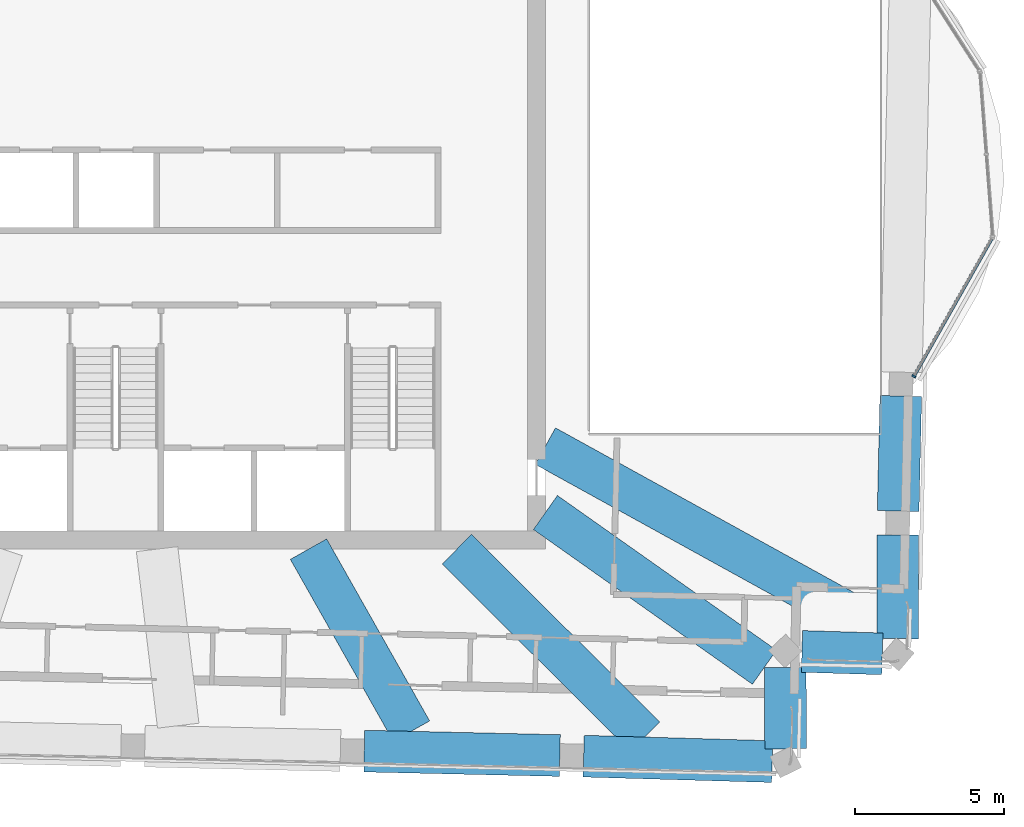
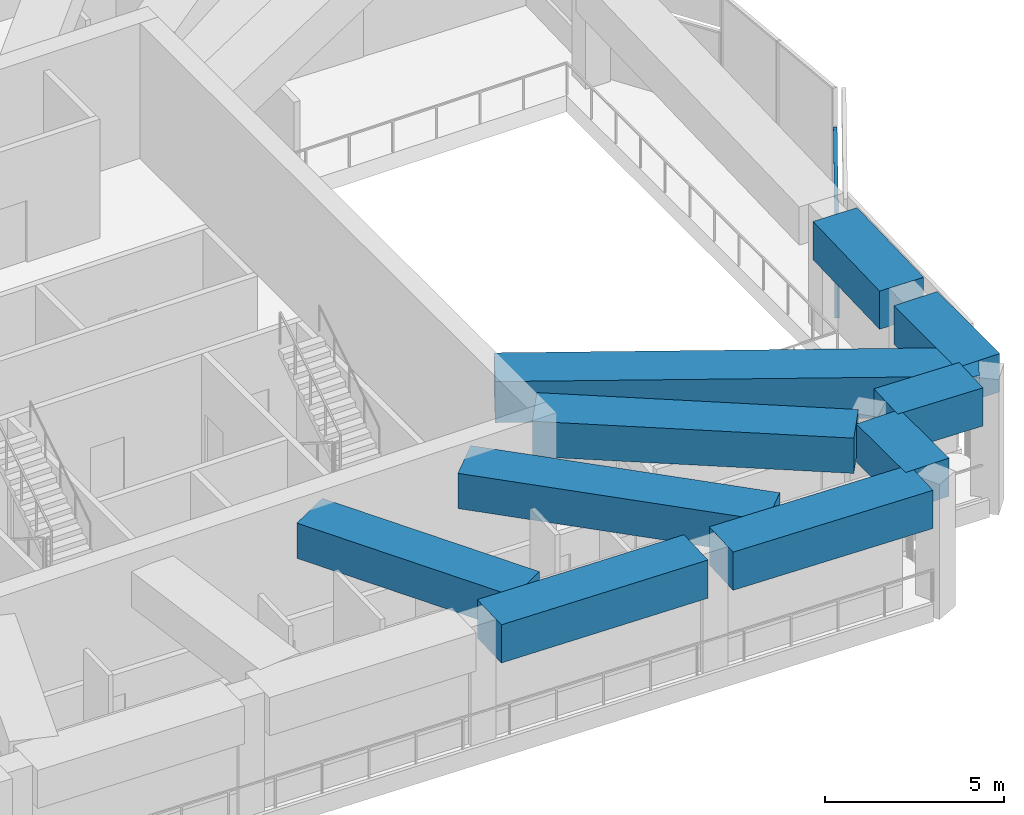
# One storey, part 5 of 19: 10 beams, 2 members, 1 element without a shape of its own.
"""IFC4 building model written with IfcOpenShell, lengths in metres."""

from ifc_helpers import new_model, si_unit, direction, frame, origin, origin_2d, place, context, subcontext, project, spatial, rectangle, extrude, material, material_profile, profile_set, type_object, element, aggregate, save


model = new_model("IFC4")

# Units and contexts
model_context = context("Model", 3, precision=1e-05, world=origin(), true_north=direction((0.0, 1.0)))
body_context = subcontext(model_context, "Body", "Model", "MODEL_VIEW")
ifc_project = project(units=[si_unit("LENGTHUNIT", "METRE"), si_unit("AREAUNIT", "SQUARE_METRE"), si_unit("VOLUMEUNIT", "CUBIC_METRE"), si_unit("PLANEANGLEUNIT", "RADIAN"), si_unit("MASSUNIT", "GRAM", prefix="KILO")], contexts=[model_context])

# Site, building, storey
site_placement = place(None, origin())
site = spatial("IfcSite", under=ifc_project, at=site_placement, CompositionType="ELEMENT")
building_placement = place(site_placement, origin())
building = spatial("IfcBuilding", under=site, at=building_placement, Name="Mangrove Gate Tower", CompositionType="ELEMENT")
storey_placement = place(building_placement, frame((0.0, 0.0, 346.10009765625)))
storey = spatial("IfcBuildingStorey", under=building, at=storey_placement, Name="L88", CompositionType="ELEMENT", Elevation=346.10009765625)

# Curtain wall, members
ifc_material_1 = material(Name="Aluminium and glass curtain wall", Category="aluminium")
curtain_wall_type = type_object("IfcCurtainWallType", Name="Crown garden glazing wall", PredefinedType="NOTDEFINED", material=ifc_material_1)
curtain_wall_placement = place(storey_placement, origin())
curtain_wall = element("IfcCurtainWall", 1, at=curtain_wall_placement, inside=storey, type_object=curtain_wall_type, Name="Crown garden glazing E1f1", PredefinedType="NOTDEFINED")
ifc_material_2 = material(Name="Aluminium alloy 6063-T6", Category="aluminium")
ifc_material_profile_1 = material_profile(ifc_material_2, rectangle(XDim=0.06005859375, YDim=0.139892578125, at=origin_2d()))
ifc_profile_set_1 = profile_set([ifc_material_profile_1], Name="Aluminium alloy 6063-T6")
member_type_1 = type_object("IfcMemberType", Name="Crown garden glazing mullion 60x140", PredefinedType="MULLION", material=ifc_profile_set_1)
member_1_placement = place(storey_placement, frame((26.767333984375, -5.598876953125, 0.0), z_axis=(0.0, 0.0, 1.0), x_axis=(0.49256575687, 0.870275229545, 0.0)))
member_1 = element("IfcMember", 2, at=member_1_placement, type_object=member_type_1, Name="CWC mullion 1", PredefinedType="MULLION", context=body_context, shape_type="SweptSolid", body=[
    extrude(rectangle(XDim=0.06005859375, YDim=0.139892578125, at=origin_2d()), origin(), (0.0, 0.0, 1.0), 2.75),
])
ifc_material_3 = material(Name="Aluminium alloy 6063-T6", Category="aluminium")
ifc_material_profile_2 = material_profile(ifc_material_3, rectangle(XDim=0.06005859375, YDim=0.110107421875, at=origin_2d()))
ifc_profile_set_2 = profile_set([ifc_material_profile_2], Name="Aluminium alloy 6063-T6")
member_type_2 = type_object("IfcMemberType", Name="Crown garden glazing transom 60x110", PredefinedType="USERDEFINED", material=ifc_profile_set_2)
member_2_placement = place(storey_placement, frame((26.7822265625, -5.57275390625, 2.719970703125), z_axis=(0.492532775623, 0.870293895726, 0.0), x_axis=(0.0, 0.0, 1.0)))
member_2 = element("IfcMember", 3, at=member_2_placement, type_object=member_type_2, Name="CWC transom 1.2", ObjectType="TRANSOM", PredefinedType="USERDEFINED", context=body_context, shape_type="SweptSolid", body=[
    extrude(rectangle(XDim=0.06005859375, YDim=0.110107421875, at=origin_2d()), origin(), (0.0, 0.0, 1.0), 5.277587890625),
])
aggregate(curtain_wall, [member_1, member_2])

# Beams
ifc_material_4 = material(Name="Concrete C50/60", Category="concrete")
ifc_material_profile_3 = material_profile(ifc_material_4, rectangle(XDim=1.39990234375, YDim=1.199951171875, at=origin_2d()))
ifc_profile_set_3 = profile_set([ifc_material_profile_3], Name="Concrete C50/60")
beam_type_1 = type_object("IfcBeamType", Name="Transfer girder RC 1400x1200 C50/60", PredefinedType="BEAM", material=ifc_profile_set_3)
beam_1_placement = place(storey_placement, frame((6.4482421875, -11.39990234375, 3.449951171875), z_axis=(0.492344805558, -0.870400248414, 0.0), x_axis=(0.870400248414, 0.492344805558, 0.0)))
element("IfcBeam", 4, at=beam_1_placement, inside=storey, type_object=beam_type_1, Name="Transfer girder L88 07", PredefinedType="BEAM", context=body_context, shape_type="SweptSolid", body=[
    extrude(rectangle(XDim=1.39990234375, YDim=1.199951171875, at=origin_2d()), origin(), (0.0, 0.0, 1.0), 7.021484375),
])
beam_2_placement = place(storey_placement, frame((11.4287109375, -11.39990234375, 3.449951171875), z_axis=(0.707996248441, -0.706216193664, 0.0), x_axis=(0.706216193664, 0.707996248441, 0.0)))
element("IfcBeam", 5, at=beam_2_placement, inside=storey, type_object=beam_type_1, Name="Transfer girder L88 08", PredefinedType="BEAM", context=body_context, shape_type="SweptSolid", body=[
    extrude(rectangle(XDim=1.39990234375, YDim=1.199951171875, at=origin_2d()), origin(), (0.0, 0.0, 1.0), 8.9150390625),
])
beam_3_placement = place(storey_placement, frame((14.39990234375, -10.17138671875, 3.449951171875), z_axis=(0.816795678595, -0.57692704862, 0.0), x_axis=(0.57692704862, 0.816795678595, 0.0)))
element("IfcBeam", 6, at=beam_3_placement, inside=storey, type_object=beam_type_1, Name="Transfer girder L88 09", PredefinedType="BEAM", context=body_context, shape_type="SweptSolid", body=[
    extrude(rectangle(XDim=1.39990234375, YDim=1.199951171875, at=origin_2d()), origin(), (0.0, 0.0, 1.0), 9.00048828125),
])
ifc_material_5 = material(Name="Concrete C50/60", Category="concrete")
ifc_material_profile_4 = material_profile(ifc_material_5, rectangle(XDim=1.39990234375, YDim=1.300048828125, at=origin_2d()))
ifc_profile_set_4 = profile_set([ifc_material_profile_4], Name="Concrete C50/60")
beam_type_2 = type_object("IfcBeamType", Name="Transfer girder RC 1400x1300 C50/60", PredefinedType="BEAM", material=ifc_profile_set_4)
beam_4_placement = place(storey_placement, frame((8.31884765625, -18.18017578125, 3.39990234375), z_axis=(0.9997428326, -0.022677492484, 0.0), x_axis=(0.022677492484, 0.9997428326, 0.0)))
element("IfcBeam", 7, at=beam_4_placement, inside=storey, type_object=beam_type_2, Name="Transfer ring girder L88 08", PredefinedType="BEAM", context=body_context, shape_type="SweptSolid", body=[
    extrude(rectangle(XDim=1.39990234375, YDim=1.300048828125, at=origin_2d()), origin(), (0.0, 0.0, 1.0), 6.567138671875),
])
beam_5_placement = place(storey_placement, frame((15.683837890625, -18.349609375, 3.39990234375), z_axis=(0.999582947379, -0.028877868842, 0.0), x_axis=(0.028877868842, 0.999582947379, 0.0)))
element("IfcBeam", 8, at=beam_5_placement, inside=storey, type_object=beam_type_2, Name="Transfer ring girder L88 09", PredefinedType="BEAM", context=body_context, shape_type="SweptSolid", body=[
    extrude(rectangle(XDim=1.39990234375, YDim=1.300048828125, at=origin_2d()), origin(), (0.0, 0.0, 1.0), 6.332275390625),
])
beam_6_placement = place(storey_placement, frame((22.462890625, -18.101318359375, 3.39990234375), z_axis=(-0.00401926014, 0.999991922741, 0.0), x_axis=(-0.999991922741, -0.00401926014, 0.0)))
element("IfcBeam", 9, at=beam_6_placement, inside=storey, type_object=beam_type_2, Name="Transfer ring girder L88 10", PredefinedType="BEAM", context=body_context, shape_type="SweptSolid", body=[
    extrude(rectangle(XDim=1.39990234375, YDim=1.300048828125, at=origin_2d()), origin(), (0.0, 0.0, 1.0), 2.7333984375),
])
beam_7_placement = place(storey_placement, frame((23.010498046875, -14.833984375, 3.39990234375), z_axis=(0.999532507958, -0.030573935538, 0.0), x_axis=(0.030573935538, 0.999532507958, 0.0)))
element("IfcBeam", 10, at=beam_7_placement, inside=storey, type_object=beam_type_2, Name="Transfer ring girder L88 11", PredefinedType="BEAM", context=body_context, shape_type="SweptSolid", body=[
    extrude(rectangle(XDim=1.39990234375, YDim=1.300048828125, at=origin_2d()), origin(), (0.0, 0.0, 1.0), 2.698974609375),
])
beam_8_placement = place(storey_placement, frame((26.221923828125, -14.407470703125, 3.39990234375), z_axis=(0.002381445933, 0.999997164354, 0.0), x_axis=(-0.999997164354, 0.002381445933, 0.0)))
element("IfcBeam", 11, at=beam_8_placement, inside=storey, type_object=beam_type_2, Name="Transfer ring girder L88 12", PredefinedType="BEAM", context=body_context, shape_type="SweptSolid", body=[
    extrude(rectangle(XDim=1.39990234375, YDim=1.300048828125, at=origin_2d()), origin(), (0.0, 0.0, 1.0), 3.485595703125),
])
beam_9_placement = place(storey_placement, frame((26.240234375, -10.1220703125, 3.39990234375), z_axis=(0.022755866125, 0.999741051751, 0.0), x_axis=(-0.999741051751, 0.022755866125, 0.0)))
element("IfcBeam", 12, at=beam_9_placement, inside=storey, type_object=beam_type_2, Name="Transfer ring girder L88 13", PredefinedType="BEAM", context=body_context, shape_type="SweptSolid", body=[
    extrude(rectangle(XDim=1.39990234375, YDim=1.300048828125, at=origin_2d()), origin(), (0.0, 0.0, 1.0), 3.8623046875),
])
ifc_material_6 = material(Name="Concrete C50/60", Category="concrete")
ifc_material_profile_5 = material_profile(ifc_material_6, rectangle(XDim=1.39990234375, YDim=1.39990234375, at=origin_2d()))
ifc_profile_set_5 = profile_set([ifc_material_profile_5], Name="Concrete C50/60")
beam_type_3 = type_object("IfcBeamType", Name="Transfer girder RC 1400x1400 C50/60", PredefinedType="BEAM", material=ifc_profile_set_5)
beam_10_placement = place(storey_placement, frame((14.39990234375, -7.94287109375, 3.349853515625), z_axis=(0.875632273548, -0.482978386184, 0.0), x_axis=(0.482978386184, 0.875632273548, 0.0)))
element("IfcBeam", 13, at=beam_10_placement, inside=storey, type_object=beam_type_3, Name="Transfer girder L88 10", PredefinedType="BEAM", context=body_context, shape_type="SweptSolid", body=[
    extrude(rectangle(XDim=1.39990234375, YDim=1.39990234375, at=origin_2d()), origin(), (0.0, 0.0, 1.0), 13.501220703125),
])

save(model, "model.ifc")
